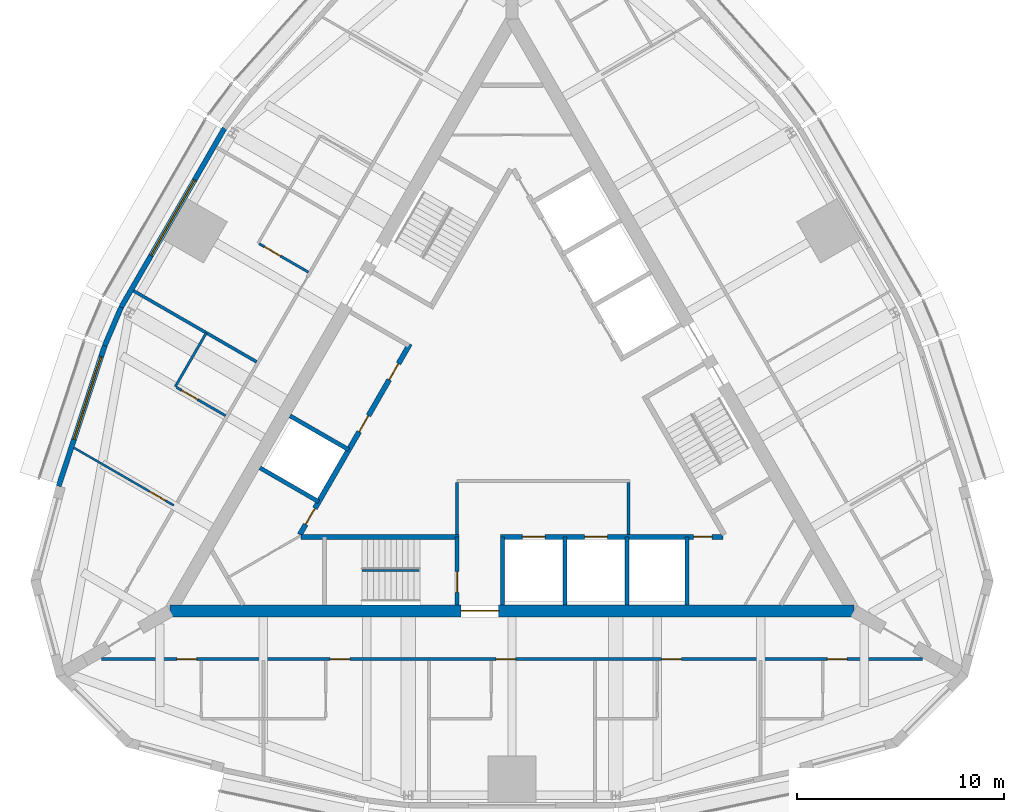
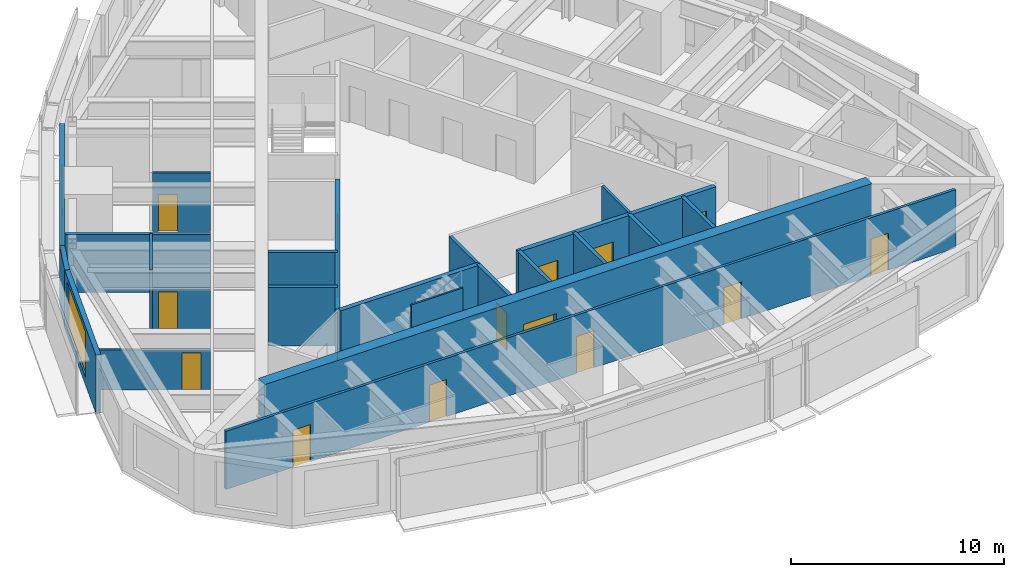
# One storey, part 8 of 12: 23 walls, 16 doors, 2 windows, 18 openings.
"""IFC4 building model written with IfcOpenShell, lengths in metres."""

from ifc_helpers import new_model, si_unit, direction, frame, frame_2d, origin, place, context, subcontext, project, spatial, rectangle, extrude, material, layer, layer_set, type_object, element, fill, save


model = new_model("IFC4")

# Units and contexts
model_context = context("Model", 3, precision=1e-05, world=origin(), true_north=direction((0.0, 1.0)))
body_context = subcontext(model_context, "Body", "Model", "MODEL_VIEW")
ifc_project = project(units=[si_unit("LENGTHUNIT", "METRE"), si_unit("AREAUNIT", "SQUARE_METRE"), si_unit("VOLUMEUNIT", "CUBIC_METRE"), si_unit("PLANEANGLEUNIT", "RADIAN"), si_unit("MASSUNIT", "GRAM", prefix="KILO")], contexts=[model_context])

# Site, building, storey
site_placement = place(None, origin())
site = spatial("IfcSite", under=ifc_project, at=site_placement, CompositionType="ELEMENT")
building_placement = place(site_placement, origin())
building = spatial("IfcBuilding", under=site, at=building_placement, Name="Trikona Tower", CompositionType="ELEMENT")
storey_placement = place(building_placement, frame((0.0, 0.0, 271.699951171875)))
storey = spatial("IfcBuildingStorey", under=building, at=storey_placement, Name="L72", CompositionType="ELEMENT", Elevation=271.699951171875)

# Wall, opening, door
ifc_material_1 = material(Name="Metal stud and cement board", Category="gypsum")
ifc_layer_1 = layer(ifc_material_1, 0.1201171875)
ifc_layer_set_1 = layer_set([ifc_layer_1], Name="Bathroom wall 120")
wall_type_1 = type_object("IfcWallType", Name="Bathroom wall 120", PredefinedType="PLUMBINGWALL", material=ifc_layer_set_1)
wall_1_placement = place(storey_placement, frame((-9.82861328125, 6.8291015625, 0.0), z_axis=(0.0, 0.0, 1.0), x_axis=(-0.865997131366, 0.500048966069, 0.0)))
wall_1 = element("IfcWall", 1, at=wall_1_placement, inside=storey, type_object=wall_type_1, Name="Bathroom wall 7208", PredefinedType="PLUMBINGWALL", context=body_context, shape_type="SweptSolid", body=[
    extrude(rectangle(XDim=2.739990234375, YDim=0.1201171875, at=frame_2d((1.3701171875, 0.0))), origin(), (0.0, 0.0, 1.0), 3.35009765625),
])
opening_1_placement = place(wall_1_placement, frame((1.550048828125, 0.0, 0.0)))
opening_1 = element("IfcOpeningElement", 2, at=opening_1_placement, cuts=wall_1, Name="Opening D2", PredefinedType="OPENING", context=body_context, shape_type="SweptSolid", body=[
    extrude(rectangle(XDim=0.89990234375, YDim=2.1298828125, at=frame_2d((0.449951171875, 1.06494140625))), frame((0.0, 0.070068359375, 0.0), z_axis=(0.0, -1.0, 0.0), x_axis=(1.0, 0.0, 0.0)), (0.0, 0.0, 1.0), 0.14013671875),
])
ifc_material_2 = material(Name="Steel door frame with solid-core timber leaf", Category="steel")
door_type_1 = type_object("IfcDoorType", Name="Bathroom door 900x2130", OperationType="SLIDING_TO_LEFT", PredefinedType="DOOR", material=ifc_material_2)
door_1_placement = place(opening_1_placement, origin())
door_1 = element("IfcDoor", 3, at=door_1_placement, inside=storey, type_object=door_type_1, Name="Bathroom door 7208", OperationType="SLIDING_TO_LEFT", OverallHeight=2.1298828125, OverallWidth=0.89990234375, PredefinedType="DOOR", context=body_context, shape_type="SweptSolid", body=[
    extrude(rectangle(XDim=0.89990234375, YDim=2.1298828125, at=frame_2d((0.449951171875, 1.06494140625))), frame((0.0, 0.02490234375, 0.0), z_axis=(0.0, -1.0, 0.0), x_axis=(1.0, 0.0, 0.0)), (0.0, 0.0, 1.0), 0.050048828125),
])
fill(opening_1, door_1)

# Wall
wall_2_placement = place(storey_placement, frame((-14.75341796875, 3.89892578125, 0.0), z_axis=(0.0, 0.0, 1.0), x_axis=(-0.50002537861, -0.866010750942, 0.0)))
element("IfcWall", 4, at=wall_2_placement, inside=storey, type_object=wall_type_1, Name="Bathroom wall 7209.1", PredefinedType="PLUMBINGWALL", context=body_context, shape_type="SweptSolid", body=[
    extrude(rectangle(XDim=2.999755859375, YDim=0.1201171875, at=frame_2d((1.5, 0.0))), origin(), (0.0, 0.0, 1.0), 3.35009765625),
])

# Wall, opening, door
wall_3_placement = place(storey_placement, frame((-13.82861328125, -0.09912109375, 0.0), z_axis=(0.0, 0.0, 1.0), x_axis=(-0.865997131366, 0.500048966069, 0.0)))
wall_3 = element("IfcWall", 5, at=wall_3_placement, inside=storey, type_object=wall_type_1, Name="Bathroom wall 7209.1", PredefinedType="PLUMBINGWALL", context=body_context, shape_type="SweptSolid", body=[
    extrude(rectangle(XDim=2.739990234375, YDim=0.1201171875, at=frame_2d((1.3701171875, 0.0))), origin(), (0.0, 0.0, 1.0), 2.30859375),
])
opening_2_placement = place(wall_3_placement, frame((1.550048828125, 0.0, 0.0)))
opening_2 = element("IfcOpeningElement", 6, at=opening_2_placement, cuts=wall_3, Name="Opening D2", PredefinedType="OPENING", context=body_context, shape_type="SweptSolid", body=[
    extrude(rectangle(XDim=0.89990234375, YDim=2.1298828125, at=frame_2d((0.449951171875, 1.06494140625))), frame((0.0, 0.070068359375, 0.0), z_axis=(0.0, -1.0, 0.0), x_axis=(1.0, 0.0, 0.0)), (0.0, 0.0, 1.0), 0.14013671875),
])
door_2_placement = place(opening_2_placement, origin())
door_2 = element("IfcDoor", 7, at=door_2_placement, inside=storey, type_object=door_type_1, Name="Bathroom door 7209.1", OperationType="SLIDING_TO_LEFT", OverallHeight=2.1298828125, OverallWidth=0.89990234375, PredefinedType="DOOR", context=body_context, shape_type="SweptSolid", body=[
    extrude(rectangle(XDim=0.89990234375, YDim=2.1298828125, at=frame_2d((0.449951171875, 1.06494140625))), frame((0.0, 0.02490234375, 0.0), z_axis=(0.0, -1.0, 0.0), x_axis=(1.0, 0.0, 0.0)), (0.0, 0.0, 1.0), 0.050048828125),
])
fill(opening_2, door_2)

ifc_material_3 = material(Name="Concrete f'c 10000 psi", Category="concrete")
ifc_layer_2 = layer(ifc_material_3, 0.60009765625)
ifc_layer_set_2 = layer_set([ifc_layer_2], Name="Core wall 600")
wall_type_2 = type_object("IfcWallType", Name="Core wall 600", PredefinedType="SHEAR", material=ifc_layer_set_2)
wall_4_placement = place(storey_placement, frame((-16.5, -9.5263671875, 0.0), z_axis=(0.0, 0.0, 1.0), x_axis=(1.0, 0.0, 0.0)))
wall_4 = element("IfcWall", 8, at=wall_4_placement, inside=storey, type_object=wall_type_2, Name="Core wall A", PredefinedType="SHEAR", context=body_context, shape_type="SweptSolid", body=[
    extrude(rectangle(XDim=33.0, YDim=0.60009765625, at=frame_2d((16.5, 0.0))), origin(), (0.0, 0.0, 1.0), 3.60009765625),
])
opening_3_placement = place(wall_4_placement, frame((14.050048828125, 0.0, 0.0)))
opening_3 = element("IfcOpeningElement", 9, at=opening_3_placement, cuts=wall_4, Name="Opening D6", PredefinedType="OPENING", context=body_context, shape_type="SweptSolid", body=[
    extrude(rectangle(XDim=1.800048828125, YDim=2.1298828125, at=frame_2d((0.89990234375, 1.06494140625))), frame((0.0, 0.31005859375, 0.0), z_axis=(0.0, -1.0, 0.0), x_axis=(1.0, 0.0, 0.0)), (0.0, 0.0, 1.0), 0.6201171875),
])
ifc_material_4 = material(Name="Hollow metal door and frame", Category="steel")
door_type_2 = type_object("IfcDoorType", Name="Lobby door pair 1800x2130", OperationType="DOUBLE_DOOR_SINGLE_SWING", PredefinedType="DOOR", material=ifc_material_4)
door_3_placement = place(opening_3_placement, origin())
door_3 = element("IfcDoor", 10, at=door_3_placement, inside=storey, type_object=door_type_2, Name="Fire service lift lobby door", OperationType="DOUBLE_DOOR_SINGLE_SWING", OverallHeight=2.1298828125, OverallWidth=1.800048828125, PredefinedType="DOOR", context=body_context, shape_type="SweptSolid", body=[
    extrude(rectangle(XDim=1.800048828125, YDim=2.1298828125, at=frame_2d((0.89990234375, 1.06494140625))), frame((0.0, 0.02490234375, 0.0), z_axis=(0.0, -1.0, 0.0), x_axis=(1.0, 0.0, 0.0)), (0.0, 0.0, 1.0), 0.050048828125),
])
fill(opening_3, door_3)

# Wall, openings, doors
ifc_material_5 = material(Name="Metal stud and gypsum board, 1-hour", Category="gypsum")
ifc_layer_3 = layer(ifc_material_5, 0.14990234375)
ifc_layer_set_3 = layer_set([ifc_layer_3], Name="Corridor wall 150")
wall_type_3 = type_object("IfcWallType", Name="Corridor wall 150", PredefinedType="PARTITIONING", material=ifc_layer_set_3)
wall_5_placement = place(storey_placement, frame((-19.826904296875, -11.851318359375, 0.0), z_axis=(0.0, 0.0, 1.0), x_axis=(1.0, 0.0, 0.0)))
wall_5 = element("IfcWall", 11, at=wall_5_placement, inside=storey, type_object=wall_type_3, Name="Corridor wall L72-1", PredefinedType="PARTITIONING", context=body_context, shape_type="SweptSolid", body=[
    extrude(rectangle(XDim=39.65380859375, YDim=0.14990234375, at=frame_2d((19.826904296875, 0.0))), origin(), (0.0, 0.0, 1.0), 3.35009765625),
])
opening_4_placement = place(wall_5_placement, frame((3.652099609375, 0.0, 0.0)))
opening_4 = element("IfcOpeningElement", 12, at=opening_4_placement, cuts=wall_5, Name="Opening D1", PredefinedType="OPENING", context=body_context, shape_type="SweptSolid", body=[
    extrude(rectangle(XDim=0.949951171875, YDim=2.1298828125, at=frame_2d((0.47509765625, 1.06494140625))), frame((0.0, 0.0849609375, 0.0), z_axis=(0.0, -1.0, 0.0), x_axis=(1.0, 0.0, 0.0)), (0.0, 0.0, 1.0), 0.169921875),
])
opening_5_placement = place(wall_5_placement, frame((11.052001953125, 0.0, 0.0)))
opening_5 = element("IfcOpeningElement", 13, at=opening_5_placement, cuts=wall_5, Name="Opening D1", PredefinedType="OPENING", context=body_context, shape_type="SweptSolid", body=[
    extrude(rectangle(XDim=0.949951171875, YDim=2.1298828125, at=frame_2d((0.47509765625, 1.06494140625))), frame((0.0, 0.0849609375, 0.0), z_axis=(0.0, -1.0, 0.0), x_axis=(1.0, 0.0, 0.0)), (0.0, 0.0, 1.0), 0.169921875),
])
opening_6_placement = place(wall_5_placement, frame((19.052001953125, 0.0, 0.0)))
opening_6 = element("IfcOpeningElement", 14, at=opening_6_placement, cuts=wall_5, Name="Opening D1", PredefinedType="OPENING", context=body_context, shape_type="SweptSolid", body=[
    extrude(rectangle(XDim=0.949951171875, YDim=2.1298828125, at=frame_2d((0.47509765625, 1.06494140625))), frame((0.0, 0.0849609375, 0.0), z_axis=(0.0, -1.0, 0.0), x_axis=(1.0, 0.0, 0.0)), (0.0, 0.0, 1.0), 0.169921875),
])
opening_7_placement = place(wall_5_placement, frame((27.052001953125, 0.0, 0.0)))
opening_7 = element("IfcOpeningElement", 15, at=opening_7_placement, cuts=wall_5, Name="Opening D1", PredefinedType="OPENING", context=body_context, shape_type="SweptSolid", body=[
    extrude(rectangle(XDim=0.949951171875, YDim=2.1298828125, at=frame_2d((0.47509765625, 1.06494140625))), frame((0.0, 0.0849609375, 0.0), z_axis=(0.0, -1.0, 0.0), x_axis=(1.0, 0.0, 0.0)), (0.0, 0.0, 1.0), 0.169921875),
])
opening_8_placement = place(wall_5_placement, frame((35.052001953125, 0.0, 0.0)))
opening_8 = element("IfcOpeningElement", 16, at=opening_8_placement, cuts=wall_5, Name="Opening D1", PredefinedType="OPENING", context=body_context, shape_type="SweptSolid", body=[
    extrude(rectangle(XDim=0.949951171875, YDim=2.1298828125, at=frame_2d((0.47509765625, 1.06494140625))), frame((0.0, 0.0849609375, 0.0), z_axis=(0.0, -1.0, 0.0), x_axis=(1.0, 0.0, 0.0)), (0.0, 0.0, 1.0), 0.169921875),
])
ifc_material_6 = material(Name="Steel door frame with solid-core timber leaf", Category="steel")
door_type_3 = type_object("IfcDoorType", Name="Guest room door 950x2130", OperationType="SINGLE_SWING_LEFT", PredefinedType="DOOR", material=ifc_material_6)
door_4_placement = place(opening_4_placement, origin())
door_4 = element("IfcDoor", 17, at=door_4_placement, inside=storey, type_object=door_type_3, Name="Room door 7201", OperationType="SINGLE_SWING_LEFT", OverallHeight=2.1298828125, OverallWidth=0.949951171875, PredefinedType="DOOR", context=body_context, shape_type="SweptSolid", body=[
    extrude(rectangle(XDim=0.949951171875, YDim=2.1298828125, at=frame_2d((0.47509765625, 1.06494140625))), frame((0.0, 0.02490234375, 0.0), z_axis=(0.0, -1.0, 0.0), x_axis=(1.0, 0.0, 0.0)), (0.0, 0.0, 1.0), 0.050048828125),
])
fill(opening_4, door_4)
door_5_placement = place(opening_5_placement, origin())
door_5 = element("IfcDoor", 18, at=door_5_placement, inside=storey, type_object=door_type_3, Name="Room door 7202", OperationType="SINGLE_SWING_RIGHT", OverallHeight=2.1298828125, OverallWidth=0.949951171875, PredefinedType="DOOR", context=body_context, shape_type="SweptSolid", body=[
    extrude(rectangle(XDim=0.949951171875, YDim=2.1298828125, at=frame_2d((0.47509765625, 1.06494140625))), frame((0.0, 0.02490234375, 0.0), z_axis=(0.0, -1.0, 0.0), x_axis=(1.0, 0.0, 0.0)), (0.0, 0.0, 1.0), 0.050048828125),
])
fill(opening_5, door_5)
door_6_placement = place(opening_6_placement, origin())
door_6 = element("IfcDoor", 19, at=door_6_placement, inside=storey, type_object=door_type_3, Name="Room door 7203", OperationType="SINGLE_SWING_LEFT", OverallHeight=2.1298828125, OverallWidth=0.949951171875, PredefinedType="DOOR", context=body_context, shape_type="SweptSolid", body=[
    extrude(rectangle(XDim=0.949951171875, YDim=2.1298828125, at=frame_2d((0.47509765625, 1.06494140625))), frame((0.0, 0.02490234375, 0.0), z_axis=(0.0, -1.0, 0.0), x_axis=(1.0, 0.0, 0.0)), (0.0, 0.0, 1.0), 0.050048828125),
])
fill(opening_6, door_6)
door_7_placement = place(opening_7_placement, origin())
door_7 = element("IfcDoor", 20, at=door_7_placement, inside=storey, type_object=door_type_3, Name="Room door 7204", OperationType="SINGLE_SWING_RIGHT", OverallHeight=2.1298828125, OverallWidth=0.949951171875, PredefinedType="DOOR", context=body_context, shape_type="SweptSolid", body=[
    extrude(rectangle(XDim=0.949951171875, YDim=2.1298828125, at=frame_2d((0.47509765625, 1.06494140625))), frame((0.0, 0.02490234375, 0.0), z_axis=(0.0, -1.0, 0.0), x_axis=(1.0, 0.0, 0.0)), (0.0, 0.0, 1.0), 0.050048828125),
])
fill(opening_7, door_7)
door_8_placement = place(opening_8_placement, origin())
door_8 = element("IfcDoor", 21, at=door_8_placement, inside=storey, type_object=door_type_3, Name="Room door 7205", OperationType="SINGLE_SWING_RIGHT", OverallHeight=2.1298828125, OverallWidth=0.949951171875, PredefinedType="DOOR", context=body_context, shape_type="SweptSolid", body=[
    extrude(rectangle(XDim=0.949951171875, YDim=2.1298828125, at=frame_2d((0.47509765625, 1.06494140625))), frame((0.0, 0.02490234375, 0.0), z_axis=(0.0, -1.0, 0.0), x_axis=(1.0, 0.0, 0.0)), (0.0, 0.0, 1.0), 0.050048828125),
])
fill(opening_8, door_8)

# Wall
ifc_material_7 = material(Name="Concrete f'c 8000 psi", Category="concrete")
ifc_layer_4 = layer(ifc_material_7, 0.25)
ifc_layer_set_4 = layer_set([ifc_layer_4], Name="Hub wall 250")
wall_type_4 = type_object("IfcWallType", Name="Hub wall 250", PredefinedType="SOLIDWALL", material=ifc_layer_set_4)
wall_6_placement = place(storey_placement, frame((-10.182861328125, -5.951416015625, 0.0), z_axis=(0.0, 0.0, 1.0), x_axis=(1.0, 0.0, 0.0)))
element("IfcWall", 22, at=wall_6_placement, inside=storey, type_object=wall_type_4, Name="Lift lobby wall A1", PredefinedType="SOLIDWALL", context=body_context, shape_type="SweptSolid", body=[
    extrude(rectangle(XDim=7.6328125, YDim=0.25, at=frame_2d((3.81640625, 0.0))), origin(), (0.0, 0.0, 1.0), 3.35009765625),
])

# Wall, openings, doors
wall_7_placement = place(storey_placement, frame((-0.550048828125, -5.951416015625, 0.0), z_axis=(0.0, 0.0, 1.0), x_axis=(1.0, 0.0, 0.0)))
wall_7 = element("IfcWall", 23, at=wall_7_placement, inside=storey, type_object=wall_type_4, Name="Lift lobby wall A2", PredefinedType="SOLIDWALL", context=body_context, shape_type="SweptSolid", body=[
    extrude(rectangle(XDim=10.73291015625, YDim=0.25, at=frame_2d((5.366455078125, 0.0))), origin(), (0.0, 0.0, 1.0), 3.35009765625),
])
opening_9_placement = place(wall_7_placement, frame((9.31396484375, 0.0, 0.0)))
opening_9 = element("IfcOpeningElement", 24, at=opening_9_placement, cuts=wall_7, Name="Opening D14", PredefinedType="OPENING", context=body_context, shape_type="SweptSolid", body=[
    extrude(rectangle(XDim=0.89990234375, YDim=2.1298828125, at=frame_2d((0.449951171875, 1.06494140625))), frame((0.0, 0.135009765625, 0.0), z_axis=(0.0, -1.0, 0.0), x_axis=(1.0, 0.0, 0.0)), (0.0, 0.0, 1.0), 0.27001953125),
])
opening_10_placement = place(wall_7_placement, frame((1.050048828125, 0.0, 0.0)))
opening_10 = element("IfcOpeningElement", 25, at=opening_10_placement, cuts=wall_7, Name="Opening LD", PredefinedType="OPENING", context=body_context, shape_type="SweptSolid", body=[
    extrude(rectangle(XDim=1.10009765625, YDim=2.1298828125, at=frame_2d((0.550048828125, 1.06494140625))), frame((0.0, 0.135009765625, 0.0), z_axis=(0.0, -1.0, 0.0), x_axis=(1.0, 0.0, 0.0)), (0.0, 0.0, 1.0), 0.27001953125),
])
opening_11_placement = place(wall_7_placement, frame((4.050048828125, 0.0, 0.0)))
opening_11 = element("IfcOpeningElement", 26, at=opening_11_placement, cuts=wall_7, Name="Opening LD", PredefinedType="OPENING", context=body_context, shape_type="SweptSolid", body=[
    extrude(rectangle(XDim=1.10009765625, YDim=2.1298828125, at=frame_2d((0.550048828125, 1.06494140625))), frame((0.0, 0.135009765625, 0.0), z_axis=(0.0, -1.0, 0.0), x_axis=(1.0, 0.0, 0.0)), (0.0, 0.0, 1.0), 0.27001953125),
])
ifc_material_8 = material(Name="Stainless steel lift landing door", Category="steel")
door_type_4 = type_object("IfcDoorType", Name="Lift landing door 1100x2130", OperationType="DOUBLE_DOOR_SLIDING", PredefinedType="USERDEFINED", material=ifc_material_8)
door_9_placement = place(opening_10_placement, origin())
door_9 = element("IfcDoor", 27, at=door_9_placement, inside=storey, type_object=door_type_4, Name="Lift landing door FF1", ObjectType="LIFT LANDING DOOR", OperationType="DOUBLE_DOOR_SLIDING", OverallHeight=2.1298828125, OverallWidth=1.10009765625, PredefinedType="USERDEFINED", context=body_context, shape_type="SweptSolid", body=[
    extrude(rectangle(XDim=1.10009765625, YDim=2.1298828125, at=frame_2d((0.550048828125, 1.06494140625))), frame((0.0, 0.02490234375, 0.0), z_axis=(0.0, -1.0, 0.0), x_axis=(1.0, 0.0, 0.0)), (0.0, 0.0, 1.0), 0.050048828125),
])
fill(opening_10, door_9)
door_10_placement = place(opening_11_placement, origin())
door_10 = element("IfcDoor", 28, at=door_10_placement, inside=storey, type_object=door_type_4, Name="Lift landing door FF2", ObjectType="LIFT LANDING DOOR", OperationType="DOUBLE_DOOR_SLIDING", OverallHeight=2.1298828125, OverallWidth=1.10009765625, PredefinedType="USERDEFINED", context=body_context, shape_type="SweptSolid", body=[
    extrude(rectangle(XDim=1.10009765625, YDim=2.1298828125, at=frame_2d((0.550048828125, 1.06494140625))), frame((0.0, 0.02490234375, 0.0), z_axis=(0.0, -1.0, 0.0), x_axis=(1.0, 0.0, 0.0)), (0.0, 0.0, 1.0), 0.050048828125),
])
fill(opening_11, door_10)
ifc_material_9 = material(Name="Hollow metal door and frame", Category="steel")
door_type_5 = type_object("IfcDoorType", Name="Service room door 900x2130", OperationType="SINGLE_SWING_LEFT", PredefinedType="DOOR", material=ifc_material_9)
door_11_placement = place(opening_9_placement, origin())
door_11 = element("IfcDoor", 29, at=door_11_placement, inside=storey, type_object=door_type_5, Name="Door Ice and vending ICE", OperationType="SINGLE_SWING_RIGHT", OverallHeight=2.1298828125, OverallWidth=0.89990234375, PredefinedType="DOOR", context=body_context, shape_type="SweptSolid", body=[
    extrude(rectangle(XDim=0.89990234375, YDim=2.1298828125, at=frame_2d((0.449951171875, 1.06494140625))), frame((0.0, 0.02490234375, 0.0), z_axis=(0.0, -1.0, 0.0), x_axis=(1.0, 0.0, 0.0)), (0.0, 0.0, 1.0), 0.050048828125),
])
fill(opening_9, door_11)

wall_8_placement = place(storey_placement, frame((-4.928955078125, 3.365478515625, 0.0), z_axis=(0.0, 0.0, 1.0), x_axis=(-0.499991433582, -0.866030349552, 0.0)))
wall_8 = element("IfcWall", 30, at=wall_8_placement, inside=storey, type_object=wall_type_4, Name="Lift lobby wall C2", PredefinedType="SOLIDWALL", context=body_context, shape_type="SweptSolid", body=[
    extrude(rectangle(XDim=10.633056640625, YDim=0.25, at=frame_2d((5.31640625, 0.0))), origin(), (0.0, 0.0, 1.0), 3.35009765625),
])
opening_12_placement = place(wall_8_placement, frame((9.1640625, 0.0, 0.0)))
opening_12 = element("IfcOpeningElement", 31, at=opening_12_placement, cuts=wall_8, Name="Opening D14", PredefinedType="OPENING", context=body_context, shape_type="SweptSolid", body=[
    extrude(rectangle(XDim=0.89990234375, YDim=2.1298828125, at=frame_2d((0.449951171875, 1.06494140625))), frame((0.0, 0.135009765625, 0.0), z_axis=(0.0, -1.0, 0.0), x_axis=(1.0, 0.0, 0.0)), (0.0, 0.0, 1.0), 0.27001953125),
])
opening_13_placement = place(wall_8_placement, frame((1.10009765625, 0.0, 0.0)))
opening_13 = element("IfcOpeningElement", 32, at=opening_13_placement, cuts=wall_8, Name="Opening D14", PredefinedType="OPENING", context=body_context, shape_type="SweptSolid", body=[
    extrude(rectangle(XDim=0.89990234375, YDim=2.1298828125, at=frame_2d((0.449951171875, 1.06494140625))), frame((0.0, 0.135009765625, 0.0), z_axis=(0.0, -1.0, 0.0), x_axis=(1.0, 0.0, 0.0)), (0.0, 0.0, 1.0), 0.27001953125),
])
opening_14_placement = place(wall_8_placement, frame((4.0, 0.0, 0.0)))
opening_14 = element("IfcOpeningElement", 33, at=opening_14_placement, cuts=wall_8, Name="Opening D14", PredefinedType="OPENING", context=body_context, shape_type="SweptSolid", body=[
    extrude(rectangle(XDim=0.89990234375, YDim=2.1298828125, at=frame_2d((0.449951171875, 1.06494140625))), frame((0.0, 0.135009765625, 0.0), z_axis=(0.0, -1.0, 0.0), x_axis=(1.0, 0.0, 0.0)), (0.0, 0.0, 1.0), 0.27001953125),
])
door_12_placement = place(opening_12_placement, origin())
door_12 = element("IfcDoor", 34, at=door_12_placement, inside=storey, type_object=door_type_5, Name="Door Linen store LIN", OperationType="SINGLE_SWING_RIGHT", OverallHeight=2.1298828125, OverallWidth=0.89990234375, PredefinedType="DOOR", context=body_context, shape_type="SweptSolid", body=[
    extrude(rectangle(XDim=0.89990234375, YDim=2.1298828125, at=frame_2d((0.449951171875, 1.06494140625))), frame((0.0, 0.02490234375, 0.0), z_axis=(0.0, -1.0, 0.0), x_axis=(1.0, 0.0, 0.0)), (0.0, 0.0, 1.0), 0.050048828125),
])
fill(opening_12, door_12)
door_13_placement = place(opening_13_placement, origin())
door_13 = element("IfcDoor", 35, at=door_13_placement, inside=storey, type_object=door_type_5, Name="Door Staff WC STW1", OperationType="SINGLE_SWING_LEFT", OverallHeight=2.1298828125, OverallWidth=0.89990234375, PredefinedType="DOOR", context=body_context, shape_type="SweptSolid", body=[
    extrude(rectangle(XDim=0.89990234375, YDim=2.1298828125, at=frame_2d((0.449951171875, 1.06494140625))), frame((0.0, 0.02490234375, 0.0), z_axis=(0.0, -1.0, 0.0), x_axis=(1.0, 0.0, 0.0)), (0.0, 0.0, 1.0), 0.050048828125),
])
fill(opening_13, door_13)
door_14_placement = place(opening_14_placement, origin())
door_14 = element("IfcDoor", 36, at=door_14_placement, inside=storey, type_object=door_type_5, Name="Door Staff WC STW1", OperationType="SINGLE_SWING_RIGHT", OverallHeight=2.1298828125, OverallWidth=0.89990234375, PredefinedType="DOOR", context=body_context, shape_type="SweptSolid", body=[
    extrude(rectangle(XDim=0.89990234375, YDim=2.1298828125, at=frame_2d((0.449951171875, 1.06494140625))), frame((0.0, 0.02490234375, 0.0), z_axis=(0.0, -1.0, 0.0), x_axis=(1.0, 0.0, 0.0)), (0.0, 0.0, 1.0), 0.050048828125),
])
fill(opening_14, door_14)

# Wall, opening, window
ifc_material_10 = material(Name="Insulated precast concrete spandrel panel", Category="concrete")
ifc_layer_5 = layer(ifc_material_10, 0.25)
ifc_layer_set_5 = layer_set([ifc_layer_5], Name="Inner skin wall 250")
wall_type_5 = type_object("IfcWallType", Name="Inner skin wall 250", PredefinedType="STANDARD", material=ifc_layer_set_5)
wall_9_placement = place(storey_placement, frame((-13.87255859375, 13.782958984375, 0.0), z_axis=(0.0, 0.0, 1.0), x_axis=(-0.499993662806, -0.866029062534, 0.0)))
wall_9 = element("IfcWall", 37, at=wall_9_placement, inside=storey, type_object=wall_type_5, Name="External wall L72-20", PredefinedType="STANDARD", context=body_context, shape_type="SweptSolid", body=[
    extrude(rectangle(XDim=10.000244140625, YDim=0.25, at=frame_2d((5.0, 0.0))), origin(), (0.0, 0.0, 1.0), 3.35009765625),
])
opening_15_placement = place(wall_9_placement, frame((2.89990234375, 0.0, 0.449951171875)))
opening_15 = element("IfcOpeningElement", 38, at=opening_15_placement, cuts=wall_9, Name="Opening W4226", PredefinedType="OPENING", context=body_context, shape_type="SweptSolid", body=[
    extrude(rectangle(XDim=4.199951171875, YDim=2.60009765625, at=frame_2d((2.10009765625, 1.300048828125))), frame((0.0, 0.135009765625, 0.0), z_axis=(0.0, -1.0, 0.0), x_axis=(1.0, 0.0, 0.0)), (0.0, 0.0, 1.0), 0.27001953125),
])
ifc_material_11 = material(Name="Aluminium-framed double glazing", Category="aluminium")
window_type = type_object("IfcWindowType", Name="Window 4200x2600", PartitioningType="SINGLE_PANEL", PredefinedType="WINDOW", material=ifc_material_11)
window_1_placement = place(opening_15_placement, origin())
window_1 = element("IfcWindow", 39, at=window_1_placement, inside=storey, type_object=window_type, Name="Window 7208", OverallHeight=2.60009765625, OverallWidth=4.199951171875, PartitioningType="SINGLE_PANEL", PredefinedType="WINDOW", context=body_context, shape_type="SweptSolid", body=[
    extrude(rectangle(XDim=4.199951171875, YDim=2.60009765625, at=frame_2d((2.10009765625, 1.300048828125))), frame((0.0, 0.030029296875, 0.0), z_axis=(0.0, -1.0, 0.0), x_axis=(1.0, 0.0, 0.0)), (0.0, 0.0, 1.0), 0.06005859375),
])
fill(opening_15, window_1)

# Wall
wall_10_placement = place(storey_placement, frame((-18.865966796875, 5.135986328125, 0.0), z_axis=(0.0, 0.0, 1.0), x_axis=(-0.393290226175, -0.91941437774, 0.0)))
element("IfcWall", 40, at=wall_10_placement, inside=storey, type_object=wall_type_5, Name="External wall L72-21", PredefinedType="STANDARD", context=body_context, shape_type="SweptSolid", body=[
    extrude(rectangle(XDim=2.014404296875, YDim=0.25, at=frame_2d((1.00732421875, 0.0))), origin(), (0.0, 0.0, 1.0), 3.35009765625),
])

# Wall, opening, window
wall_11_placement = place(storey_placement, frame((-19.654296875, 3.294189453125, 0.0), z_axis=(0.0, 0.0, 1.0), x_axis=(-0.311328857048, -0.95030223759, 0.0)))
wall_11 = element("IfcWall", 41, at=wall_11_placement, inside=storey, type_object=wall_type_5, Name="External wall L72-22", PredefinedType="STANDARD", context=body_context, shape_type="SweptSolid", body=[
    extrude(rectangle(XDim=7.152587890625, YDim=0.25, at=frame_2d((3.576171875, 0.0))), origin(), (0.0, 0.0, 1.0), 3.35009765625),
])
opening_16_placement = place(wall_11_placement, frame((0.576904296875, 0.0, 0.449951171875)))
opening_16 = element("IfcOpeningElement", 42, at=opening_16_placement, cuts=wall_11, Name="Opening W4226", PredefinedType="OPENING", context=body_context, shape_type="SweptSolid", body=[
    extrude(rectangle(XDim=4.199951171875, YDim=2.60009765625, at=frame_2d((2.10009765625, 1.300048828125))), frame((0.0, 0.135009765625, 0.0), z_axis=(0.0, -1.0, 0.0), x_axis=(1.0, 0.0, 0.0)), (0.0, 0.0, 1.0), 0.27001953125),
])
window_2_placement = place(opening_16_placement, origin())
window_2 = element("IfcWindow", 43, at=window_2_placement, inside=storey, type_object=window_type, Name="Window 7209.1", OverallHeight=2.60009765625, OverallWidth=4.199951171875, PartitioningType="SINGLE_PANEL", PredefinedType="WINDOW", context=body_context, shape_type="SweptSolid", body=[
    extrude(rectangle(XDim=4.199951171875, YDim=2.60009765625, at=frame_2d((2.10009765625, 1.300048828125))), frame((0.0, 0.030029296875, 0.0), z_axis=(0.0, -1.0, 0.0), x_axis=(1.0, 0.0, 0.0)), (0.0, 0.0, 1.0), 0.06005859375),
])
fill(opening_16, window_2)

# Walls
ifc_material_12 = material(Name="Metal stud and gypsum board, 2-hour shaft wall", Category="gypsum")
ifc_layer_6 = layer(ifc_material_12, 0.14990234375)
ifc_layer_set_6 = layer_set([ifc_layer_6], Name="Lobby wall 150")
wall_type_6 = type_object("IfcWallType", Name="Lobby wall 150", PredefinedType="PARTITIONING", material=ifc_layer_set_6)
for number, where, z_axis, x_axis, name in (
    (44, (-2.64990234375, -5.826416015625, 0.0), (0.0, 0.0, 1.0), (0.0, 1.0, 0.0), "Fire service lift lobby wall 2"),
    (45, (5.625, -5.826416015625, 0.0), (0.0, 0.0, 1.0), (0.0, 1.0, 0.0), "Fire service lift lobby wall 3"),
):
    element("IfcWall", number, at=place(storey_placement, frame(where, z_axis=z_axis, x_axis=x_axis)), inside=storey, type_object=wall_type_6, Name=name, PredefinedType="PARTITIONING", context=body_context, shape_type="SweptSolid", body=[
        extrude(rectangle(XDim=2.5, YDim=0.14990234375, at=frame_2d((1.25, 0.0))), origin(), (0.0, 0.0, 1.0), 3.35009765625),
    ])
ifc_material_13 = material(Name="Metal stud and gypsum board, 1-hour acoustic", Category="gypsum")
ifc_layer_7 = layer(ifc_material_13, 0.14990234375)
ifc_layer_set_7 = layer_set([ifc_layer_7], Name="Party wall 150")
wall_type_7 = type_object("IfcWallType", Name="Party wall 150", PredefinedType="PARTITIONING", material=ifc_layer_set_7)
wall_12_placement = place(storey_placement, frame((-12.32861328125, 2.4990234375, 0.0), z_axis=(0.0, 0.0, 1.0), x_axis=(-0.866027209835, 0.499996871816, 0.0)))
element("IfcWall", 46, at=wall_12_placement, inside=storey, type_object=wall_type_7, Name="Partition L72 F3 u4", PredefinedType="PARTITIONING", context=body_context, shape_type="SweptSolid", body=[
    extrude(rectangle(XDim=6.85400390625, YDim=0.14990234375, at=frame_2d((3.427001953125, 0.0))), origin(), (0.0, 0.0, 1.0), 3.35009765625),
])
ifc_material_14 = material(Name="Concrete f'c 8000 psi", Category="concrete")
ifc_layer_8 = layer(ifc_material_14, 0.199951171875)
ifc_layer_set_8 = layer_set([ifc_layer_8], Name="Shaft wall 200")
wall_type_8 = type_object("IfcWallType", Name="Shaft wall 200", PredefinedType="SOLIDWALL", material=ifc_layer_set_8)
for number, where, z_axis, x_axis, name in (
    (47, (-0.449951171875, -5.951416015625, 0.0), (0.0, 0.0, 1.0), (0.0, -1.0, 0.0), "Shaft wall A3"),
    (48, (2.550048828125, -5.951416015625, 0.0), (0.0, 0.0, 1.0), (0.0, -1.0, 0.0), "Shaft wall A4"),
    (49, (5.550048828125, -5.951416015625, 0.0), (0.0, 0.0, 1.0), (0.0, -1.0, 0.0), "Shaft wall A5"),
    (50, (8.449951171875, -5.951416015625, 0.0), (0.0, 0.0, 1.0), (0.0, -1.0, 0.0), "Shaft wall A6"),
    (51, (-7.87890625, -1.744140625, 0.0), (0.0, 0.0, 1.0), (-0.866027924134, 0.499995634601, 0.0), "Shaft wall C5"),
    (52, (-9.3291015625, -4.255615234375, 0.0), (0.0, 0.0, 1.0), (-0.866027924134, 0.499995634601, 0.0), "Shaft wall C6"),
):
    element("IfcWall", number, at=place(storey_placement, frame(where, z_axis=z_axis, x_axis=x_axis)), inside=storey, type_object=wall_type_8, Name=name, PredefinedType="SOLIDWALL", context=body_context, shape_type="SweptSolid", body=[
        extrude(rectangle(XDim=3.27490234375, YDim=0.199951171875, at=frame_2d((1.637451171875, 0.0))), origin(), (0.0, 0.0, 1.0), 3.35009765625),
    ])

# Wall, opening, door
ifc_material_15 = material(Name="Concrete f'c 8000 psi", Category="concrete")
ifc_layer_9 = layer(ifc_material_15, 0.199951171875)
ifc_layer_set_9 = layer_set([ifc_layer_9], Name="Shaft wall 200 load-bearing")
wall_type_9 = type_object("IfcWallType", Name="Shaft wall 200 load-bearing", PredefinedType="SOLIDWALL", material=ifc_layer_set_9)
wall_13_placement = place(storey_placement, frame((-2.64990234375, -5.951416015625, 0.0), z_axis=(0.0, 0.0, 1.0), x_axis=(0.0, -1.0, 0.0)))
wall_13 = element("IfcWall", 53, at=wall_13_placement, inside=storey, type_object=wall_type_9, Name="Shaft wall A2", PredefinedType="SOLIDWALL", context=body_context, shape_type="SweptSolid", body=[
    extrude(rectangle(XDim=3.27490234375, YDim=0.199951171875, at=frame_2d((1.637451171875, 0.0))), origin(), (0.0, 0.0, 1.0), 3.35009765625),
])
opening_17_placement = place(wall_13_placement, frame((1.675048828125, 0.0, 0.0)))
opening_17 = element("IfcOpeningElement", 54, at=opening_17_placement, cuts=wall_13, Name="Opening D5", PredefinedType="OPENING", context=body_context, shape_type="SweptSolid", body=[
    extrude(rectangle(XDim=1.0, YDim=2.1298828125, at=frame_2d((0.5, 1.06494140625))), frame((0.0, 0.10986328125, 0.0), z_axis=(0.0, -1.0, 0.0), x_axis=(1.0, 0.0, 0.0)), (0.0, 0.0, 1.0), 0.219970703125),
])
ifc_material_16 = material(Name="Hollow metal door and frame", Category="steel")
door_type_6 = type_object("IfcDoorType", Name="Stair door 1000x2130", OperationType="SINGLE_SWING_LEFT", PredefinedType="DOOR", material=ifc_material_16)
door_15_placement = place(opening_17_placement, origin())
door_15 = element("IfcDoor", 55, at=door_15_placement, inside=storey, type_object=door_type_6, Name="Stair A door", OperationType="SINGLE_SWING_RIGHT", OverallHeight=2.1298828125, OverallWidth=1.0, PredefinedType="DOOR", context=body_context, shape_type="SweptSolid", body=[
    extrude(rectangle(XDim=1.0, YDim=2.1298828125, at=frame_2d((0.5, 1.06494140625))), frame((0.0, 0.02490234375, 0.0), z_axis=(0.0, -1.0, 0.0), x_axis=(1.0, 0.0, 0.0)), (0.0, 0.0, 1.0), 0.050048828125),
])
fill(opening_17, door_15)

# Wall
ifc_material_17 = material(Name="Concrete f'c 5000 psi", Category="concrete")
ifc_layer_10 = layer(ifc_material_17, 0.10009765625)
ifc_layer_set_10 = layer_set([ifc_layer_10], Name="Stair spine wall 100")
wall_type_10 = type_object("IfcWallType", Name="Stair spine wall 100", PredefinedType="SOLIDWALL", material=ifc_layer_set_10)
wall_14_placement = place(storey_placement, frame((-7.2470703125, -7.576416015625, 0.0), z_axis=(0.0, 0.0, 1.0), x_axis=(1.0, 0.0, 0.0)))
element("IfcWall", 56, at=wall_14_placement, inside=storey, type_object=wall_type_10, Name="Stair A spine wall L72", PredefinedType="SOLIDWALL", context=body_context, shape_type="SweptSolid", body=[
    extrude(rectangle(XDim=2.794189453125, YDim=0.10009765625, at=frame_2d((1.39697265625, 0.0))), origin(), (0.0, 0.0, 1.0), 3.60009765625),
])

# Wall, opening, door
ifc_material_18 = material(Name="Metal stud and gypsum board, acoustic", Category="gypsum")
ifc_layer_11 = layer(ifc_material_18, 0.10009765625)
ifc_layer_set_11 = layer_set([ifc_layer_11], Name="Suite partition 100")
wall_type_11 = type_object("IfcWallType", Name="Suite partition 100", PredefinedType="PARTITIONING", material=ifc_layer_set_11)
wall_15_placement = place(storey_placement, frame((-16.32861328125, -4.42919921875, 0.0), z_axis=(0.0, 0.0, 1.0), x_axis=(-0.866029066823, 0.499993655377, 0.0)))
wall_15 = element("IfcWall", 57, at=wall_15_placement, inside=storey, type_object=wall_type_11, Name="Suite partition L72 F3 u12", PredefinedType="PARTITIONING", context=body_context, shape_type="SweptSolid", body=[
    extrude(rectangle(XDim=5.55859375, YDim=0.10009765625, at=frame_2d((2.779296875, 0.0))), origin(), (0.0, 0.0, 1.0), 2.301025390625),
])
opening_18_placement = place(wall_15_placement, frame((0.449951171875, 0.0, 0.0)))
opening_18 = element("IfcOpeningElement", 58, at=opening_18_placement, cuts=wall_15, Name="Opening D13", PredefinedType="OPENING", context=body_context, shape_type="SweptSolid", body=[
    extrude(rectangle(XDim=0.89990234375, YDim=2.1298828125, at=frame_2d((0.449951171875, 1.06494140625))), frame((0.0, 0.06005859375, 0.0), z_axis=(0.0, -1.0, 0.0), x_axis=(1.0, 0.0, 0.0)), (0.0, 0.0, 1.0), 0.1201171875),
])
ifc_material_19 = material(Name="Steel door frame with solid-core timber leaf", Category="steel")
door_type_7 = type_object("IfcDoorType", Name="Suite door 900x2130", OperationType="SINGLE_SWING_LEFT", PredefinedType="DOOR", material=ifc_material_19)
door_16_placement = place(opening_18_placement, origin())
door_16 = element("IfcDoor", 59, at=door_16_placement, inside=storey, type_object=door_type_7, Name="Suite door 7209", OperationType="SINGLE_SWING_LEFT", OverallHeight=2.1298828125, OverallWidth=0.89990234375, PredefinedType="DOOR", context=body_context, shape_type="SweptSolid", body=[
    extrude(rectangle(XDim=0.89990234375, YDim=2.1298828125, at=frame_2d((0.449951171875, 1.06494140625))), frame((0.0, 0.02490234375, 0.0), z_axis=(0.0, -1.0, 0.0), x_axis=(1.0, 0.0, 0.0)), (0.0, 0.0, 1.0), 0.050048828125),
])
fill(opening_18, door_16)

save(model, "model.ifc")
